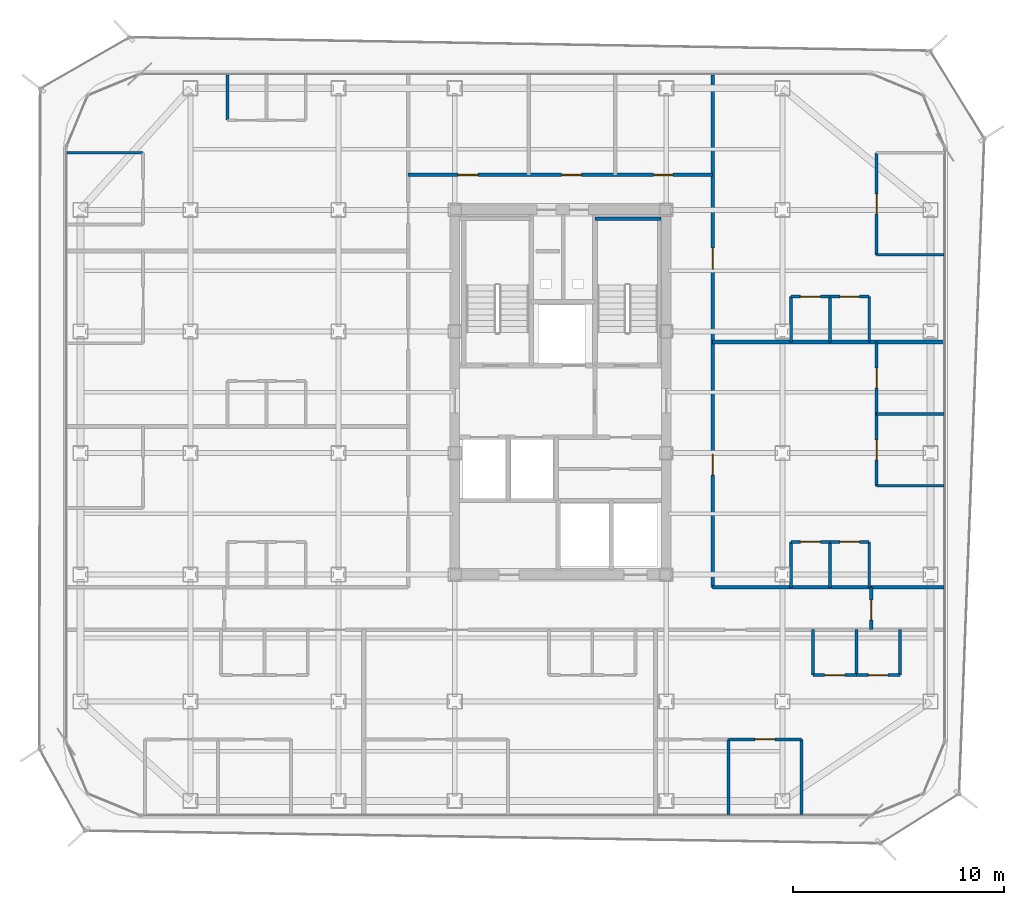
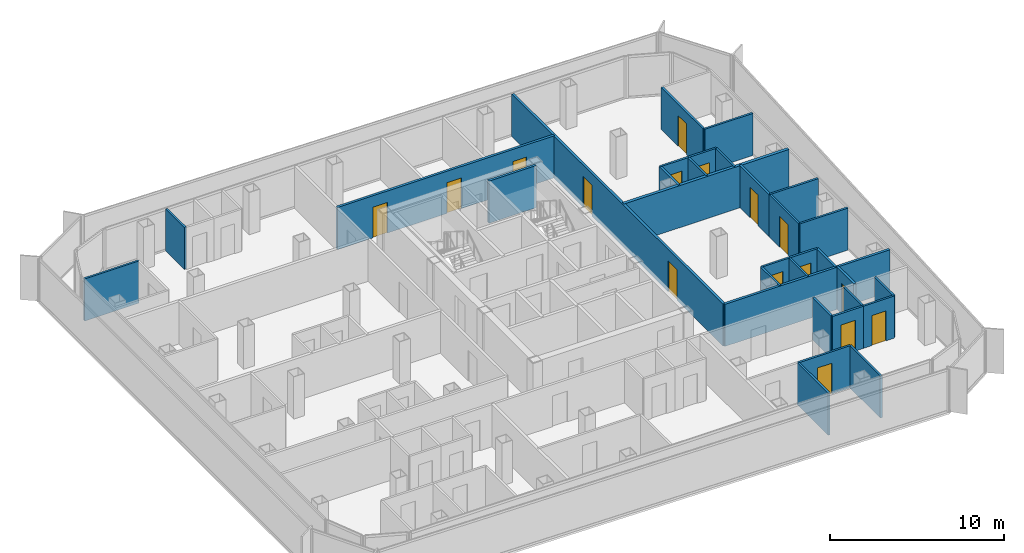
# One storey, part 12 of 16: 33 walls, 16 doors, 16 openings.
"""IFC4 building model written with IfcOpenShell, lengths in metres."""

from ifc_helpers import new_model, si_unit, direction, frame, frame_2d, origin, place, context, subcontext, project, spatial, rectangle, extrude, material, layer, layer_set, type_object, element, fill, save


model = new_model("IFC4")

# Units and contexts
model_context = context("Model", 3, precision=1e-05, world=origin(), true_north=direction((0.0, 1.0)))
body_context = subcontext(model_context, "Body", "Model", "MODEL_VIEW")
ifc_project = project(units=[si_unit("LENGTHUNIT", "METRE"), si_unit("AREAUNIT", "SQUARE_METRE"), si_unit("VOLUMEUNIT", "CUBIC_METRE"), si_unit("PLANEANGLEUNIT", "RADIAN"), si_unit("MASSUNIT", "GRAM", prefix="KILO")], contexts=[model_context])

# Site, building, storey
site_placement = place(None, origin())
site = spatial("IfcSite", under=ifc_project, at=site_placement, CompositionType="ELEMENT")
building_placement = place(site_placement, origin())
building = spatial("IfcBuilding", under=site, at=building_placement, Name="Kolveth Station Tower", CompositionType="ELEMENT")
storey_placement = place(building_placement, frame((0.0, 0.0, 156.10009765625)))
storey = spatial("IfcBuildingStorey", under=building, at=storey_placement, Name="L43", CompositionType="ELEMENT", Elevation=156.10009765625)

# Wall, opening, door
ifc_material_1 = material(Name="Moisture-resistant gypsum partition")
ifc_layer_1 = layer(ifc_material_1, 0.135009765625)
ifc_layer_set_1 = layer_set([ifc_layer_1], Name="Moisture-resistant gypsum partition")
wall_type_1 = type_object("IfcWallType", Name="Wall_IW-135", PredefinedType="PARTITIONING", material=ifc_layer_set_1)
wall_1_placement = place(storey_placement, frame((35.449951171875, 6.75, 0.0), z_axis=(0.0, 0.0, 1.0), x_axis=(1.0, 0.0, 0.0)))
wall_1 = element("IfcWall", 1, at=wall_1_placement, inside=storey, type_object=wall_type_1, Name="L43 Partition Wall WL-L43-A3-IBHK", PredefinedType="PARTITIONING", context=body_context, shape_type="SweptSolid", body=[
    extrude(rectangle(XDim=2.050048828125, YDim=0.135009765625, at=frame_2d((1.02490234375, 0.0))), origin(), (0.0, 0.0, 1.0), 2.949951171875),
])
opening_1_placement = place(wall_1_placement, frame((0.544921875, 0.0, 0.0)))
opening_1 = element("IfcOpeningElement", 2, at=opening_1_placement, cuts=wall_1, Name="Opening ID1", PredefinedType="OPENING", context=body_context, shape_type="SweptSolid", body=[
    extrude(rectangle(XDim=0.949951171875, YDim=2.14990234375, at=frame_2d((0.47509765625, 1.074951171875))), frame((0.0, 0.077392578125, 0.0), z_axis=(0.0, -1.0, 0.0), x_axis=(1.0, 0.0, 0.0)), (0.0, 0.0, 1.0), 0.155029296875),
])
ifc_material_2 = material(Name="Acoustic hardwood leaf and aluminium frame", Category="wood")
door_type_1 = type_object("IfcDoorType", Name="Door_ID1", OperationType="NOTDEFINED", PredefinedType="DOOR", material=ifc_material_2)
door_1_placement = place(opening_1_placement, origin())
door_1 = element("IfcDoor", 3, at=door_1_placement, inside=storey, type_object=door_type_1, Name="Penthouse Flat L43-A3 Kitchen Door", OperationType="SINGLE_SWING_LEFT", OverallHeight=2.14990234375, OverallWidth=0.949951171875, PredefinedType="DOOR", context=body_context, shape_type="SweptSolid", body=[
    extrude(rectangle(XDim=0.949951171875, YDim=2.14990234375, at=frame_2d((0.47509765625, 1.074951171875))), frame((0.0, 0.02490234375, 0.0), z_axis=(0.0, -1.0, 0.0), x_axis=(1.0, 0.0, 0.0)), (0.0, 0.0, 1.0), 0.050048828125),
])
fill(opening_1, door_1)

wall_2_placement = place(storey_placement, frame((37.5, 6.75, 0.0), z_axis=(0.0, 0.0, 1.0), x_axis=(1.0, 0.0, 0.0)))
wall_2 = element("IfcWall", 4, at=wall_2_placement, inside=storey, type_object=wall_type_1, Name="L43 Partition Wall WL-L43-A3-IBHB", PredefinedType="PARTITIONING", context=body_context, shape_type="SweptSolid", body=[
    extrude(rectangle(XDim=2.050048828125, YDim=0.135009765625, at=frame_2d((1.02490234375, 0.0))), origin(), (0.0, 0.0, 1.0), 2.949951171875),
])
opening_2_placement = place(wall_2_placement, frame((0.56494140625, 0.0, 0.0)))
opening_2 = element("IfcOpeningElement", 5, at=opening_2_placement, cuts=wall_2, Name="Opening ID2", PredefinedType="OPENING", context=body_context, shape_type="SweptSolid", body=[
    extrude(rectangle(XDim=0.919921875, YDim=2.10009765625, at=frame_2d((0.4599609375, 1.050048828125))), frame((0.0, 0.077392578125, 0.0), z_axis=(0.0, -1.0, 0.0), x_axis=(1.0, 0.0, 0.0)), (0.0, 0.0, 1.0), 0.155029296875),
])
ifc_material_3 = material(Name="Moisture-resistant hardwood leaf", Category="wood")
door_type_2 = type_object("IfcDoorType", Name="Door_ID2", OperationType="NOTDEFINED", PredefinedType="DOOR", material=ifc_material_3)
door_2_placement = place(opening_2_placement, origin())
door_2 = element("IfcDoor", 6, at=door_2_placement, inside=storey, type_object=door_type_2, Name="Penthouse Flat L43-A3 Bathroom Door", OperationType="SINGLE_SWING_RIGHT", OverallHeight=2.10009765625, OverallWidth=0.919921875, PredefinedType="DOOR", context=body_context, shape_type="SweptSolid", body=[
    extrude(rectangle(XDim=0.919921875, YDim=2.10009765625, at=frame_2d((0.4599609375, 1.050048828125))), frame((0.0, 0.02490234375, 0.0), z_axis=(0.0, -1.0, 0.0), x_axis=(1.0, 0.0, 0.0)), (0.0, 0.0, 1.0), 0.050048828125),
])
fill(opening_2, door_2)

# Walls
for number, where, z_axis, x_axis, name in (
    (7, (35.449951171875, 6.75, 0.0), (0.0, 0.0, 1.0), (0.0, 1.0, 0.0), "L43 Partition Wall WL-L43-A3-IBV0"),
    (8, (37.5, 6.75, 0.0), (0.0, 0.0, 1.0), (0.0, 1.0, 0.0), "L43 Partition Wall WL-L43-A3-IBV1"),
    (9, (39.550048828125, 6.75, 0.0), (0.0, 0.0, 1.0), (0.0, 1.0, 0.0), "L43 Partition Wall WL-L43-A3-IBV2"),
):
    element("IfcWall", number, at=place(storey_placement, frame(where, z_axis=z_axis, x_axis=x_axis)), inside=storey, type_object=wall_type_1, Name=name, PredefinedType="PARTITIONING", context=body_context, shape_type="SweptSolid", body=[
        extrude(rectangle(XDim=2.14990234375, YDim=0.135009765625, at=frame_2d((1.074951171875, 0.0))), origin(), (0.0, 0.0, 1.0), 2.949951171875),
    ])
wall_3_placement = place(storey_placement, frame((34.89990234375, 0.159912109375, 0.0), z_axis=(0.0, 0.0, 1.0), x_axis=(0.0, 1.0, 0.0)))
element("IfcWall", 10, at=wall_3_placement, inside=storey, type_object=wall_type_1, Name="L43 Partition Wall WL-L43-A3-BDVE", PredefinedType="PARTITIONING", context=body_context, shape_type="SweptSolid", body=[
    extrude(rectangle(XDim=3.550048828125, YDim=0.135009765625, at=frame_2d((1.77490234375, 0.0))), origin(), (0.0, 0.0, 1.0), 2.949951171875),
])

# Wall, opening, door
wall_4_placement = place(storey_placement, frame((31.449951171875, 3.7099609375, 0.0), z_axis=(0.0, 0.0, 1.0), x_axis=(1.0, 0.0, 0.0)))
wall_4 = element("IfcWall", 11, at=wall_4_placement, inside=storey, type_object=wall_type_1, Name="L43 Partition Wall WL-L43-A3-BDH2", PredefinedType="PARTITIONING", context=body_context, shape_type="SweptSolid", body=[
    extrude(rectangle(XDim=3.449951171875, YDim=0.135009765625, at=frame_2d((1.72509765625, 0.0))), origin(), (0.0, 0.0, 1.0), 2.949951171875),
])
opening_3_placement = place(wall_4_placement, frame((1.2451171875, 0.0, 0.0)))
opening_3 = element("IfcOpeningElement", 12, at=opening_3_placement, cuts=wall_4, Name="Opening ID1", PredefinedType="OPENING", context=body_context, shape_type="SweptSolid", body=[
    extrude(rectangle(XDim=0.949951171875, YDim=2.14990234375, at=frame_2d((0.47509765625, 1.074951171875))), frame((0.0, 0.077392578125, 0.0), z_axis=(0.0, -1.0, 0.0), x_axis=(1.0, 0.0, 0.0)), (0.0, 0.0, 1.0), 0.155029296875),
])
door_3_placement = place(opening_3_placement, frame((0.949951171875, 0.0, 0.0), z_axis=(0.0, 0.0, 1.0), x_axis=(-1.0, 0.0, 0.0)))
door_3 = element("IfcDoor", 13, at=door_3_placement, inside=storey, type_object=door_type_1, Name="Penthouse Flat L43-A3 Bedroom 2 Door", OperationType="SINGLE_SWING_RIGHT", OverallHeight=2.14990234375, OverallWidth=0.949951171875, PredefinedType="DOOR", context=body_context, shape_type="SweptSolid", body=[
    extrude(rectangle(XDim=0.949951171875, YDim=2.14990234375, at=frame_2d((0.47509765625, 1.074951171875))), frame((0.0, 0.02490234375, 0.0), z_axis=(0.0, -1.0, 0.0), x_axis=(1.0, 0.0, 0.0)), (0.0, 0.0, 1.0), 0.050048828125),
])
fill(opening_3, door_3)

# Walls
wall_5_placement = place(storey_placement, frame((31.449951171875, 0.159912109375, 0.0), z_axis=(0.0, 0.0, 1.0), x_axis=(0.0, 1.0, 0.0)))
element("IfcWall", 14, at=wall_5_placement, inside=storey, type_object=wall_type_1, Name="L43 Partition Wall WL-L43-A3-BDV1", PredefinedType="PARTITIONING", context=body_context, shape_type="SweptSolid", body=[
    extrude(rectangle(XDim=3.550048828125, YDim=0.135009765625, at=frame_2d((1.77490234375, 0.0))), origin(), (0.0, 0.0, 1.0), 2.949951171875),
])
wall_6_placement = place(storey_placement, frame((7.75, 32.989990234375, 0.0), z_axis=(0.0, 0.0, 1.0), x_axis=(0.0, 1.0, 0.0)))
element("IfcWall", 15, at=wall_6_placement, inside=storey, type_object=wall_type_1, Name="L43 Partition Wall WL-L43-W3-IBV0", PredefinedType="PARTITIONING", context=body_context, shape_type="SweptSolid", body=[
    extrude(rectangle(XDim=2.14990234375, YDim=0.135009765625, at=frame_2d((1.074951171875, 0.0))), origin(), (0.0, 0.0, 1.0), 2.949951171875),
])
wall_7_placement = place(storey_placement, frame((0.159912109375, 31.449951171875, 0.0), z_axis=(0.0, 0.0, 1.0), x_axis=(1.0, 0.0, 0.0)))
element("IfcWall", 16, at=wall_7_placement, inside=storey, type_object=wall_type_1, Name="L43 Partition Wall WL-L43-W3-BDHE", PredefinedType="PARTITIONING", context=body_context, shape_type="SweptSolid", body=[
    extrude(rectangle(XDim=3.60009765625, YDim=0.135009765625, at=frame_2d((1.800048828125, 0.0))), origin(), (0.0, 0.0, 1.0), 2.949951171875),
])

# Wall, opening, door
wall_8_placement = place(storey_placement, frame((34.39990234375, 13.050048828125, 0.0), z_axis=(0.0, 0.0, 1.0), x_axis=(1.0, 0.0, 0.0)))
wall_8 = element("IfcWall", 17, at=wall_8_placement, inside=storey, type_object=wall_type_1, Name="L43 Partition Wall WL-L43-E1-IBHK", PredefinedType="PARTITIONING", context=body_context, shape_type="SweptSolid", body=[
    extrude(rectangle(XDim=1.85009765625, YDim=0.135009765625, at=frame_2d((0.925048828125, 0.0))), origin(), (0.0, 0.0, 1.0), 2.949951171875),
])
opening_4_placement = place(wall_8_placement, frame((0.445068359375, 0.0, 0.0)))
opening_4 = element("IfcOpeningElement", 18, at=opening_4_placement, cuts=wall_8, Name="Opening ID1", PredefinedType="OPENING", context=body_context, shape_type="SweptSolid", body=[
    extrude(rectangle(XDim=0.949951171875, YDim=2.14990234375, at=frame_2d((0.47509765625, 1.074951171875))), frame((0.0, 0.077392578125, 0.0), z_axis=(0.0, -1.0, 0.0), x_axis=(1.0, 0.0, 0.0)), (0.0, 0.0, 1.0), 0.155029296875),
])
door_4_placement = place(opening_4_placement, origin())
door_4 = element("IfcDoor", 19, at=door_4_placement, inside=storey, type_object=door_type_1, Name="Penthouse Flat L43-E1 Kitchen Door", OperationType="SINGLE_SWING_RIGHT", OverallHeight=2.14990234375, OverallWidth=0.949951171875, PredefinedType="DOOR", context=body_context, shape_type="SweptSolid", body=[
    extrude(rectangle(XDim=0.949951171875, YDim=2.14990234375, at=frame_2d((0.47509765625, 1.074951171875))), frame((0.0, 0.02490234375, 0.0), z_axis=(0.0, -1.0, 0.0), x_axis=(1.0, 0.0, 0.0)), (0.0, 0.0, 1.0), 0.050048828125),
])
fill(opening_4, door_4)

wall_9_placement = place(storey_placement, frame((36.25, 13.050048828125, 0.0), z_axis=(0.0, 0.0, 1.0), x_axis=(1.0, 0.0, 0.0)))
wall_9 = element("IfcWall", 20, at=wall_9_placement, inside=storey, type_object=wall_type_1, Name="L43 Partition Wall WL-L43-E1-IBHB", PredefinedType="PARTITIONING", context=body_context, shape_type="SweptSolid", body=[
    extrude(rectangle(XDim=1.85009765625, YDim=0.135009765625, at=frame_2d((0.925048828125, 0.0))), origin(), (0.0, 0.0, 1.0), 2.949951171875),
])
opening_5_placement = place(wall_9_placement, frame((0.465087890625, 0.0, 0.0)))
opening_5 = element("IfcOpeningElement", 21, at=opening_5_placement, cuts=wall_9, Name="Opening ID2", PredefinedType="OPENING", context=body_context, shape_type="SweptSolid", body=[
    extrude(rectangle(XDim=0.919921875, YDim=2.10009765625, at=frame_2d((0.4599609375, 1.050048828125))), frame((0.0, 0.077392578125, 0.0), z_axis=(0.0, -1.0, 0.0), x_axis=(1.0, 0.0, 0.0)), (0.0, 0.0, 1.0), 0.155029296875),
])
door_5_placement = place(opening_5_placement, origin())
door_5 = element("IfcDoor", 22, at=door_5_placement, inside=storey, type_object=door_type_2, Name="Penthouse Flat L43-E1 Bathroom Door", OperationType="SINGLE_SWING_LEFT", OverallHeight=2.10009765625, OverallWidth=0.919921875, PredefinedType="DOOR", context=body_context, shape_type="SweptSolid", body=[
    extrude(rectangle(XDim=0.919921875, YDim=2.10009765625, at=frame_2d((0.4599609375, 1.050048828125))), frame((0.0, 0.02490234375, 0.0), z_axis=(0.0, -1.0, 0.0), x_axis=(1.0, 0.0, 0.0)), (0.0, 0.0, 1.0), 0.050048828125),
])
fill(opening_5, door_5)

# Walls
for number, where, z_axis, x_axis, name in (
    (23, (34.39990234375, 10.89990234375, 0.0), (0.0, 0.0, 1.0), (0.0, 1.0, 0.0), "L43 Partition Wall WL-L43-E1-IBV0"),
    (24, (36.25, 10.89990234375, 0.0), (0.0, 0.0, 1.0), (0.0, 1.0, 0.0), "L43 Partition Wall WL-L43-E1-IBV1"),
    (25, (38.10009765625, 10.89990234375, 0.0), (0.0, 0.0, 1.0), (0.0, 1.0, 0.0), "L43 Partition Wall WL-L43-E1-IBV2"),
):
    element("IfcWall", number, at=place(storey_placement, frame(where, z_axis=z_axis, x_axis=x_axis)), inside=storey, type_object=wall_type_1, Name=name, PredefinedType="PARTITIONING", context=body_context, shape_type="SweptSolid", body=[
        extrude(rectangle(XDim=2.150146484375, YDim=0.135009765625, at=frame_2d((1.0751953125, 0.0))), origin(), (0.0, 0.0, 1.0), 2.949951171875),
    ])
wall_10_placement = place(storey_placement, frame((38.449951171875, 15.699951171875, 0.0), z_axis=(0.0, 0.0, 1.0), x_axis=(1.0, 0.0, 0.0)))
element("IfcWall", 26, at=wall_10_placement, inside=storey, type_object=wall_type_1, Name="L43 Partition Wall WL-L43-E1-BDH0", PredefinedType="PARTITIONING", context=body_context, shape_type="SweptSolid", body=[
    extrude(rectangle(XDim=3.18994140625, YDim=0.135009765625, at=frame_2d((1.594970703125, 0.0))), origin(), (0.0, 0.0, 1.0), 2.949951171875),
])

# Wall, opening, door
wall_11_placement = place(storey_placement, frame((38.449951171875, 15.699951171875, 0.0), z_axis=(0.0, 0.0, 1.0), x_axis=(0.0, 1.0, 0.0)))
wall_11 = element("IfcWall", 27, at=wall_11_placement, inside=storey, type_object=wall_type_1, Name="L43 Partition Wall WL-L43-E1-BDV1", PredefinedType="PARTITIONING", context=body_context, shape_type="SweptSolid", body=[
    extrude(rectangle(XDim=3.400146484375, YDim=0.135009765625, at=frame_2d((1.7001953125, 0.0))), origin(), (0.0, 0.0, 1.0), 2.949951171875),
])
opening_6_placement = place(wall_11_placement, frame((1.219970703125, 0.0, 0.0)))
opening_6 = element("IfcOpeningElement", 28, at=opening_6_placement, cuts=wall_11, Name="Opening ID1", PredefinedType="OPENING", context=body_context, shape_type="SweptSolid", body=[
    extrude(rectangle(XDim=0.949951171875, YDim=2.14990234375, at=frame_2d((0.47509765625, 1.074951171875))), frame((0.0, 0.077392578125, 0.0), z_axis=(0.0, -1.0, 0.0), x_axis=(1.0, 0.0, 0.0)), (0.0, 0.0, 1.0), 0.155029296875),
])
door_6_placement = place(opening_6_placement, frame((0.949951171875, 0.0, 0.0), z_axis=(0.0, 0.0, 1.0), x_axis=(-1.0, 0.0, 0.0)))
door_6 = element("IfcDoor", 29, at=door_6_placement, inside=storey, type_object=door_type_1, Name="Penthouse Flat L43-E1 Bedroom 1 Door", OperationType="SINGLE_SWING_RIGHT", OverallHeight=2.14990234375, OverallWidth=0.949951171875, PredefinedType="DOOR", context=body_context, shape_type="SweptSolid", body=[
    extrude(rectangle(XDim=0.949951171875, YDim=2.14990234375, at=frame_2d((0.47509765625, 1.074951171875))), frame((0.0, 0.02490234375, 0.0), z_axis=(0.0, -1.0, 0.0), x_axis=(1.0, 0.0, 0.0)), (0.0, 0.0, 1.0), 0.050048828125),
])
fill(opening_6, door_6)

wall_12_placement = place(storey_placement, frame((38.449951171875, 19.10009765625, 0.0), z_axis=(0.0, 0.0, 1.0), x_axis=(0.0, 1.0, 0.0)))
wall_12 = element("IfcWall", 30, at=wall_12_placement, inside=storey, type_object=wall_type_1, Name="L43 Partition Wall WL-L43-E1-BDV2", PredefinedType="PARTITIONING", context=body_context, shape_type="SweptSolid", body=[
    extrude(rectangle(XDim=3.39990234375, YDim=0.135009765625, at=frame_2d((1.699951171875, 0.0))), origin(), (0.0, 0.0, 1.0), 2.949951171875),
])
opening_7_placement = place(wall_12_placement, frame((1.219970703125, 0.0, 0.0)))
opening_7 = element("IfcOpeningElement", 31, at=opening_7_placement, cuts=wall_12, Name="Opening ID1", PredefinedType="OPENING", context=body_context, shape_type="SweptSolid", body=[
    extrude(rectangle(XDim=0.949951171875, YDim=2.14990234375, at=frame_2d((0.47509765625, 1.074951171875))), frame((0.0, 0.077392578125, 0.0), z_axis=(0.0, -1.0, 0.0), x_axis=(1.0, 0.0, 0.0)), (0.0, 0.0, 1.0), 0.155029296875),
])
door_7_placement = place(opening_7_placement, frame((0.949951171875, 0.0, 0.0), z_axis=(0.0, 0.0, 1.0), x_axis=(-1.0, 0.0, 0.0)))
door_7 = element("IfcDoor", 32, at=door_7_placement, inside=storey, type_object=door_type_1, Name="Penthouse Flat L43-E1 Bedroom 2 Door", OperationType="SINGLE_SWING_LEFT", OverallHeight=2.14990234375, OverallWidth=0.949951171875, PredefinedType="DOOR", context=body_context, shape_type="SweptSolid", body=[
    extrude(rectangle(XDim=0.949951171875, YDim=2.14990234375, at=frame_2d((0.47509765625, 1.074951171875))), frame((0.0, 0.02490234375, 0.0), z_axis=(0.0, -1.0, 0.0), x_axis=(1.0, 0.0, 0.0)), (0.0, 0.0, 1.0), 0.050048828125),
])
fill(opening_7, door_7)

# Wall
wall_13_placement = place(storey_placement, frame((38.449951171875, 19.10009765625, 0.0), z_axis=(0.0, 0.0, 1.0), x_axis=(1.0, 0.0, 0.0)))
element("IfcWall", 33, at=wall_13_placement, inside=storey, type_object=wall_type_1, Name="L43 Partition Wall WL-L43-E1-BDH1", PredefinedType="PARTITIONING", context=body_context, shape_type="SweptSolid", body=[
    extrude(rectangle(XDim=3.18994140625, YDim=0.135009765625, at=frame_2d((1.594970703125, 0.0))), origin(), (0.0, 0.0, 1.0), 2.949951171875),
])

# Wall, opening, door
wall_14_placement = place(storey_placement, frame((34.39990234375, 24.64990234375, 0.0), z_axis=(0.0, 0.0, 1.0), x_axis=(1.0, 0.0, 0.0)))
wall_14 = element("IfcWall", 34, at=wall_14_placement, inside=storey, type_object=wall_type_1, Name="L43 Partition Wall WL-L43-E2-IBHK", PredefinedType="PARTITIONING", context=body_context, shape_type="SweptSolid", body=[
    extrude(rectangle(XDim=1.85009765625, YDim=0.135009765625, at=frame_2d((0.925048828125, 0.0))), origin(), (0.0, 0.0, 1.0), 2.949951171875),
])
opening_8_placement = place(wall_14_placement, frame((0.445068359375, 0.0, 0.0)))
opening_8 = element("IfcOpeningElement", 35, at=opening_8_placement, cuts=wall_14, Name="Opening ID1", PredefinedType="OPENING", context=body_context, shape_type="SweptSolid", body=[
    extrude(rectangle(XDim=0.949951171875, YDim=2.14990234375, at=frame_2d((0.47509765625, 1.074951171875))), frame((0.0, 0.077392578125, 0.0), z_axis=(0.0, -1.0, 0.0), x_axis=(1.0, 0.0, 0.0)), (0.0, 0.0, 1.0), 0.155029296875),
])
door_8_placement = place(opening_8_placement, origin())
door_8 = element("IfcDoor", 36, at=door_8_placement, inside=storey, type_object=door_type_1, Name="Penthouse Flat L43-E2 Kitchen Door", OperationType="SINGLE_SWING_LEFT", OverallHeight=2.14990234375, OverallWidth=0.949951171875, PredefinedType="DOOR", context=body_context, shape_type="SweptSolid", body=[
    extrude(rectangle(XDim=0.949951171875, YDim=2.14990234375, at=frame_2d((0.47509765625, 1.074951171875))), frame((0.0, 0.02490234375, 0.0), z_axis=(0.0, -1.0, 0.0), x_axis=(1.0, 0.0, 0.0)), (0.0, 0.0, 1.0), 0.050048828125),
])
fill(opening_8, door_8)

wall_15_placement = place(storey_placement, frame((36.25, 24.64990234375, 0.0), z_axis=(0.0, 0.0, 1.0), x_axis=(1.0, 0.0, 0.0)))
wall_15 = element("IfcWall", 37, at=wall_15_placement, inside=storey, type_object=wall_type_1, Name="L43 Partition Wall WL-L43-E2-IBHB", PredefinedType="PARTITIONING", context=body_context, shape_type="SweptSolid", body=[
    extrude(rectangle(XDim=1.85009765625, YDim=0.135009765625, at=frame_2d((0.925048828125, 0.0))), origin(), (0.0, 0.0, 1.0), 2.949951171875),
])
opening_9_placement = place(wall_15_placement, frame((0.465087890625, 0.0, 0.0)))
opening_9 = element("IfcOpeningElement", 38, at=opening_9_placement, cuts=wall_15, Name="Opening ID2", PredefinedType="OPENING", context=body_context, shape_type="SweptSolid", body=[
    extrude(rectangle(XDim=0.919921875, YDim=2.10009765625, at=frame_2d((0.4599609375, 1.050048828125))), frame((0.0, 0.077392578125, 0.0), z_axis=(0.0, -1.0, 0.0), x_axis=(1.0, 0.0, 0.0)), (0.0, 0.0, 1.0), 0.155029296875),
])
door_9_placement = place(opening_9_placement, origin())
door_9 = element("IfcDoor", 39, at=door_9_placement, inside=storey, type_object=door_type_2, Name="Penthouse Flat L43-E2 Bathroom Door", OperationType="SINGLE_SWING_LEFT", OverallHeight=2.10009765625, OverallWidth=0.919921875, PredefinedType="DOOR", context=body_context, shape_type="SweptSolid", body=[
    extrude(rectangle(XDim=0.919921875, YDim=2.10009765625, at=frame_2d((0.4599609375, 1.050048828125))), frame((0.0, 0.02490234375, 0.0), z_axis=(0.0, -1.0, 0.0), x_axis=(1.0, 0.0, 0.0)), (0.0, 0.0, 1.0), 0.050048828125),
])
fill(opening_9, door_9)

# Walls
for number, where, z_axis, x_axis, name in (
    (40, (34.39990234375, 22.5, 0.0), (0.0, 0.0, 1.0), (0.0, 1.0, 0.0), "L43 Partition Wall WL-L43-E2-IBV0"),
    (41, (36.25, 22.5, 0.0), (0.0, 0.0, 1.0), (0.0, 1.0, 0.0), "L43 Partition Wall WL-L43-E2-IBV1"),
    (42, (38.10009765625, 22.5, 0.0), (0.0, 0.0, 1.0), (0.0, 1.0, 0.0), "L43 Partition Wall WL-L43-E2-IBV2"),
):
    element("IfcWall", number, at=place(storey_placement, frame(where, z_axis=z_axis, x_axis=x_axis)), inside=storey, type_object=wall_type_1, Name=name, PredefinedType="PARTITIONING", context=body_context, shape_type="SweptSolid", body=[
        extrude(rectangle(XDim=2.14990234375, YDim=0.135009765625, at=frame_2d((1.074951171875, 0.0))), origin(), (0.0, 0.0, 1.0), 2.949951171875),
    ])
wall_16_placement = place(storey_placement, frame((38.449951171875, 26.6259765625, 0.0), z_axis=(0.0, 0.0, 1.0), x_axis=(1.0, 0.0, 0.0)))
element("IfcWall", 43, at=wall_16_placement, inside=storey, type_object=wall_type_1, Name="L43 Partition Wall WL-L43-E2-BDH0", PredefinedType="PARTITIONING", context=body_context, shape_type="SweptSolid", body=[
    extrude(rectangle(XDim=3.18994140625, YDim=0.135009765625, at=frame_2d((1.594970703125, 0.0))), origin(), (0.0, 0.0, 1.0), 2.949951171875),
])

# Wall, opening, door
wall_17_placement = place(storey_placement, frame((38.449951171875, 26.6259765625, 0.0), z_axis=(0.0, 0.0, 1.0), x_axis=(0.0, 1.0, 0.0)))
wall_17 = element("IfcWall", 44, at=wall_17_placement, inside=storey, type_object=wall_type_1, Name="L43 Partition Wall WL-L43-E2-BDV1", PredefinedType="PARTITIONING", context=body_context, shape_type="SweptSolid", body=[
    extrude(rectangle(XDim=4.823974609375, YDim=0.135009765625, at=frame_2d((2.412109375, 0.0))), origin(), (0.0, 0.0, 1.0), 2.949951171875),
])
opening_10_placement = place(wall_17_placement, frame((1.931884765625, 0.0, 0.0)))
opening_10 = element("IfcOpeningElement", 45, at=opening_10_placement, cuts=wall_17, Name="Opening ID1", PredefinedType="OPENING", context=body_context, shape_type="SweptSolid", body=[
    extrude(rectangle(XDim=0.949951171875, YDim=2.14990234375, at=frame_2d((0.47509765625, 1.074951171875))), frame((0.0, 0.077392578125, 0.0), z_axis=(0.0, -1.0, 0.0), x_axis=(1.0, 0.0, 0.0)), (0.0, 0.0, 1.0), 0.155029296875),
])
door_10_placement = place(opening_10_placement, frame((0.949951171875, 0.0, 0.0), z_axis=(0.0, 0.0, 1.0), x_axis=(-1.0, 0.0, 0.0)))
door_10 = element("IfcDoor", 46, at=door_10_placement, inside=storey, type_object=door_type_1, Name="Penthouse Flat L43-E2 Bedroom 1 Door", OperationType="SINGLE_SWING_LEFT", OverallHeight=2.14990234375, OverallWidth=0.949951171875, PredefinedType="DOOR", context=body_context, shape_type="SweptSolid", body=[
    extrude(rectangle(XDim=0.949951171875, YDim=2.14990234375, at=frame_2d((0.47509765625, 1.074951171875))), frame((0.0, 0.02490234375, 0.0), z_axis=(0.0, -1.0, 0.0), x_axis=(1.0, 0.0, 0.0)), (0.0, 0.0, 1.0), 0.050048828125),
])
fill(opening_10, door_10)

# Walls
ifc_material_4 = material(Name="Acoustic double-stud gypsum partition")
ifc_layer_2 = layer(ifc_material_4, 0.1650390625)
ifc_layer_set_2 = layer_set([ifc_layer_2], Name="Acoustic double-stud gypsum partition")
wall_type_2 = type_object("IfcWallType", Name="Wall_IW-165", PredefinedType="PARTITIONING", material=ifc_layer_set_2)
wall_18_placement = place(storey_placement, frame((25.1298828125, 28.3349609375, 0.0), z_axis=(0.0, 0.0, 1.0), x_axis=(1.0, 0.0, 0.0)))
element("IfcWall", 47, at=wall_18_placement, inside=storey, type_object=wall_type_2, Name="L43 Stair Shaft Wall WL-L43-ST2-N", PredefinedType="PARTITIONING", context=body_context, shape_type="SweptSolid", body=[
    extrude(rectangle(XDim=3.135009765625, YDim=0.1650390625, at=frame_2d((1.5673828125, 0.0))), origin(), (0.0, 0.0, 1.0), 2.949951171875),
])
wall_19_placement = place(storey_placement, frame((30.699951171875, 10.89990234375, 0.0), z_axis=(0.0, 0.0, 1.0), x_axis=(1.0, 0.0, 0.0)))
element("IfcWall", 48, at=wall_19_placement, inside=storey, type_object=wall_type_2, Name="L43 Partition Wall WL-L43-RSET", PredefinedType="PARTITIONING", context=body_context, shape_type="SweptSolid", body=[
    extrude(rectangle(XDim=7.5, YDim=0.1650390625, at=frame_2d((3.75, 0.0))), origin(), (0.0, 0.0, 1.0), 2.949951171875),
])

# Wall, opening, door
wall_20_placement = place(storey_placement, frame((38.199951171875, 8.89990234375, 0.0), z_axis=(0.0, 0.0, 1.0), x_axis=(0.0, 1.0, 0.0)))
wall_20 = element("IfcWall", 49, at=wall_20_placement, inside=storey, type_object=wall_type_2, Name="L43 Partition Wall WL-L43-RSEE", PredefinedType="PARTITIONING", context=body_context, shape_type="SweptSolid", body=[
    extrude(rectangle(XDim=2.0, YDim=0.1650390625, at=frame_2d((1.0, 0.0))), origin(), (0.0, 0.0, 1.0), 2.949951171875),
])
opening_11_placement = place(wall_20_placement, frame((0.449951171875, 0.0, 0.0)))
opening_11 = element("IfcOpeningElement", 50, at=opening_11_placement, cuts=wall_20, Name="Opening ID1", PredefinedType="OPENING", context=body_context, shape_type="SweptSolid", body=[
    extrude(rectangle(XDim=0.949951171875, YDim=2.14990234375, at=frame_2d((0.47509765625, 1.074951171875))), frame((0.0, 0.092529296875, 0.0), z_axis=(0.0, -1.0, 0.0), x_axis=(1.0, 0.0, 0.0)), (0.0, 0.0, 1.0), 0.18505859375),
])
door_11_placement = place(opening_11_placement, origin())
door_11 = element("IfcDoor", 51, at=door_11_placement, inside=storey, type_object=door_type_1, Name="L43 Hobby Study Door", OperationType="SINGLE_SWING_LEFT", OverallHeight=2.14990234375, OverallWidth=0.949951171875, PredefinedType="DOOR", context=body_context, shape_type="SweptSolid", body=[
    extrude(rectangle(XDim=0.949951171875, YDim=2.14990234375, at=frame_2d((0.47509765625, 1.074951171875))), frame((0.0, 0.02490234375, 0.0), z_axis=(0.0, -1.0, 0.0), x_axis=(1.0, 0.0, 0.0)), (0.0, 0.0, 1.0), 0.050048828125),
])
fill(opening_11, door_11)

# Wall, openings, doors
wall_21_placement = place(storey_placement, frame((16.300048828125, 30.39990234375, 0.0), z_axis=(0.0, 0.0, 1.0), x_axis=(1.0, 0.0, 0.0)))
wall_21 = element("IfcWall", 52, at=wall_21_placement, inside=storey, type_object=wall_type_2, Name="L43 Partition Wall WL-L43-RN", PredefinedType="PARTITIONING", context=body_context, shape_type="SweptSolid", body=[
    extrude(rectangle(XDim=14.39990234375, YDim=0.1650390625, at=frame_2d((7.199951171875, 0.0))), origin(), (0.0, 0.0, 1.0), 2.949951171875),
])
opening_12_placement = place(wall_21_placement, frame((2.35009765625, 0.0, 0.0)))
opening_12 = element("IfcOpeningElement", 53, at=opening_12_placement, cuts=wall_21, Name="Opening ID1", PredefinedType="OPENING", context=body_context, shape_type="SweptSolid", body=[
    extrude(rectangle(XDim=0.949951171875, YDim=2.14990234375, at=frame_2d((0.47509765625, 1.074951171875))), frame((0.0, 0.092529296875, 0.0), z_axis=(0.0, -1.0, 0.0), x_axis=(1.0, 0.0, 0.0)), (0.0, 0.0, 1.0), 0.18505859375),
])
opening_13_placement = place(wall_21_placement, frame((7.25, 0.0, 0.0)))
opening_13 = element("IfcOpeningElement", 54, at=opening_13_placement, cuts=wall_21, Name="Opening ID1", PredefinedType="OPENING", context=body_context, shape_type="SweptSolid", body=[
    extrude(rectangle(XDim=0.949951171875, YDim=2.14990234375, at=frame_2d((0.47509765625, 1.074951171875))), frame((0.0, 0.092529296875, 0.0), z_axis=(0.0, -1.0, 0.0), x_axis=(1.0, 0.0, 0.0)), (0.0, 0.0, 1.0), 0.18505859375),
])
opening_14_placement = place(wall_21_placement, frame((11.60009765625, 0.0, 0.0)))
opening_14 = element("IfcOpeningElement", 55, at=opening_14_placement, cuts=wall_21, Name="Opening ID2", PredefinedType="OPENING", context=body_context, shape_type="SweptSolid", body=[
    extrude(rectangle(XDim=0.919921875, YDim=2.10009765625, at=frame_2d((0.4599609375, 1.050048828125))), frame((0.0, 0.092529296875, 0.0), z_axis=(0.0, -1.0, 0.0), x_axis=(1.0, 0.0, 0.0)), (0.0, 0.0, 1.0), 0.18505859375),
])
door_12_placement = place(opening_12_placement, origin())
door_12 = element("IfcDoor", 56, at=door_12_placement, inside=storey, type_object=door_type_1, Name="L43 Residents' Study Lounge Door", OperationType="SINGLE_SWING_LEFT", OverallHeight=2.14990234375, OverallWidth=0.949951171875, PredefinedType="DOOR", context=body_context, shape_type="SweptSolid", body=[
    extrude(rectangle(XDim=0.949951171875, YDim=2.14990234375, at=frame_2d((0.47509765625, 1.074951171875))), frame((0.0, 0.02490234375, 0.0), z_axis=(0.0, -1.0, 0.0), x_axis=(1.0, 0.0, 0.0)), (0.0, 0.0, 1.0), 0.050048828125),
])
fill(opening_12, door_12)
door_13_placement = place(opening_13_placement, origin())
door_13 = element("IfcDoor", 57, at=door_13_placement, inside=storey, type_object=door_type_1, Name="L43 Residents' Linen Store Door", OperationType="SINGLE_SWING_RIGHT", OverallHeight=2.14990234375, OverallWidth=0.949951171875, PredefinedType="DOOR", context=body_context, shape_type="SweptSolid", body=[
    extrude(rectangle(XDim=0.949951171875, YDim=2.14990234375, at=frame_2d((0.47509765625, 1.074951171875))), frame((0.0, 0.02490234375, 0.0), z_axis=(0.0, -1.0, 0.0), x_axis=(1.0, 0.0, 0.0)), (0.0, 0.0, 1.0), 0.050048828125),
])
fill(opening_13, door_13)
door_14_placement = place(opening_14_placement, origin())
door_14 = element("IfcDoor", 58, at=door_14_placement, inside=storey, type_object=door_type_2, Name="L43 Accessible Residents' WC Door", OperationType="SINGLE_SWING_LEFT", OverallHeight=2.10009765625, OverallWidth=0.919921875, PredefinedType="DOOR", context=body_context, shape_type="SweptSolid", body=[
    extrude(rectangle(XDim=0.919921875, YDim=2.10009765625, at=frame_2d((0.4599609375, 1.050048828125))), frame((0.0, 0.02490234375, 0.0), z_axis=(0.0, -1.0, 0.0), x_axis=(1.0, 0.0, 0.0)), (0.0, 0.0, 1.0), 0.050048828125),
])
fill(opening_14, door_14)

wall_22_placement = place(storey_placement, frame((30.699951171875, 10.89990234375, 0.0), z_axis=(0.0, 0.0, 1.0), x_axis=(0.0, 1.0, 0.0)))
wall_22 = element("IfcWall", 59, at=wall_22_placement, inside=storey, type_object=wall_type_2, Name="L43 Partition Wall WL-L43-RE", PredefinedType="PARTITIONING", context=body_context, shape_type="SweptSolid", body=[
    extrude(rectangle(XDim=24.239990234375, YDim=0.1650390625, at=frame_2d((12.1201171875, 0.0))), origin(), (0.0, 0.0, 1.0), 2.949951171875),
])
opening_15_placement = place(wall_22_placement, frame((5.300048828125, 0.0, 0.0)))
opening_15 = element("IfcOpeningElement", 60, at=opening_15_placement, cuts=wall_22, Name="Opening FD3", PredefinedType="OPENING", context=body_context, shape_type="SweptSolid", body=[
    extrude(rectangle(XDim=1.0, YDim=2.14990234375, at=frame_2d((0.5, 1.074951171875))), frame((0.0, 0.092529296875, 0.0), z_axis=(0.0, -1.0, 0.0), x_axis=(1.0, 0.0, 0.0)), (0.0, 0.0, 1.0), 0.18505859375),
])
opening_16_placement = place(wall_22_placement, frame((15.050048828125, 0.0, 0.0)))
opening_16 = element("IfcOpeningElement", 61, at=opening_16_placement, cuts=wall_22, Name="Opening FD3", PredefinedType="OPENING", context=body_context, shape_type="SweptSolid", body=[
    extrude(rectangle(XDim=1.0, YDim=2.14990234375, at=frame_2d((0.5, 1.074951171875))), frame((0.0, 0.092529296875, 0.0), z_axis=(0.0, -1.0, 0.0), x_axis=(1.0, 0.0, 0.0)), (0.0, 0.0, 1.0), 0.18505859375),
])
ifc_material_5 = material(Name="Fire-rated hardwood leaf and aluminium frame", Category="wood")
door_type_3 = type_object("IfcDoorType", Name="Door_FD3", OperationType="NOTDEFINED", PredefinedType="DOOR", material=ifc_material_5)
door_15_placement = place(opening_15_placement, frame((1.0, 0.0, 0.0), z_axis=(0.0, 0.0, 1.0), x_axis=(-1.0, 0.0, 0.0)))
door_15 = element("IfcDoor", 62, at=door_15_placement, inside=storey, type_object=door_type_3, Name="Penthouse Flat L43-E1 Entrance Door", OperationType="SINGLE_SWING_RIGHT", OverallHeight=2.14990234375, OverallWidth=1.0, PredefinedType="DOOR", context=body_context, shape_type="SweptSolid", body=[
    extrude(rectangle(XDim=1.0, YDim=2.14990234375, at=frame_2d((0.5, 1.074951171875))), frame((0.0, 0.02490234375, 0.0), z_axis=(0.0, -1.0, 0.0), x_axis=(1.0, 0.0, 0.0)), (0.0, 0.0, 1.0), 0.050048828125),
])
fill(opening_15, door_15)
door_16_placement = place(opening_16_placement, frame((1.0, 0.0, 0.0), z_axis=(0.0, 0.0, 1.0), x_axis=(-1.0, 0.0, 0.0)))
door_16 = element("IfcDoor", 63, at=door_16_placement, inside=storey, type_object=door_type_3, Name="Penthouse Flat L43-E2 Entrance Door", OperationType="SINGLE_SWING_RIGHT", OverallHeight=2.14990234375, OverallWidth=1.0, PredefinedType="DOOR", context=body_context, shape_type="SweptSolid", body=[
    extrude(rectangle(XDim=1.0, YDim=2.14990234375, at=frame_2d((0.5, 1.074951171875))), frame((0.0, 0.02490234375, 0.0), z_axis=(0.0, -1.0, 0.0), x_axis=(1.0, 0.0, 0.0)), (0.0, 0.0, 1.0), 0.050048828125),
])
fill(opening_16, door_16)

# Walls
wall_23_placement = place(storey_placement, frame((38.199951171875, 10.89990234375, 0.0), z_axis=(0.0, 0.0, 1.0), x_axis=(1.0, 0.0, 0.0)))
element("IfcWall", 64, at=wall_23_placement, inside=storey, type_object=wall_type_2, Name="L43 Partition Wall WL-L43-ESTN", PredefinedType="PARTITIONING", context=body_context, shape_type="SweptSolid", body=[
    extrude(rectangle(XDim=3.43994140625, YDim=0.1650390625, at=frame_2d((1.719970703125, 0.0))), origin(), (0.0, 0.0, 1.0), 2.949951171875),
])
ifc_material_6 = material(Name="Acoustic fire-rated gypsum blockwork", Category="masonry")
ifc_layer_3 = layer(ifc_material_6, 0.199951171875)
ifc_layer_set_3 = layer_set([ifc_layer_3], Name="Acoustic fire-rated gypsum blockwork")
wall_type_3 = type_object("IfcWallType", Name="Wall_IW-200", PredefinedType="PARTITIONING", material=ifc_layer_set_3)
wall_24_placement = place(storey_placement, frame((30.699951171875, 22.5, 0.0), z_axis=(0.0, 0.0, 1.0), x_axis=(1.0, 0.0, 0.0)))
element("IfcWall", 65, at=wall_24_placement, inside=storey, type_object=wall_type_3, Name="L43 Partition Wall WL-L43-REU-1", PredefinedType="PARTITIONING", context=body_context, shape_type="SweptSolid", body=[
    extrude(rectangle(XDim=10.93994140625, YDim=0.199951171875, at=frame_2d((5.469970703125, 0.0))), origin(), (0.0, 0.0, 1.0), 2.949951171875),
])

save(model, "model.ifc")
